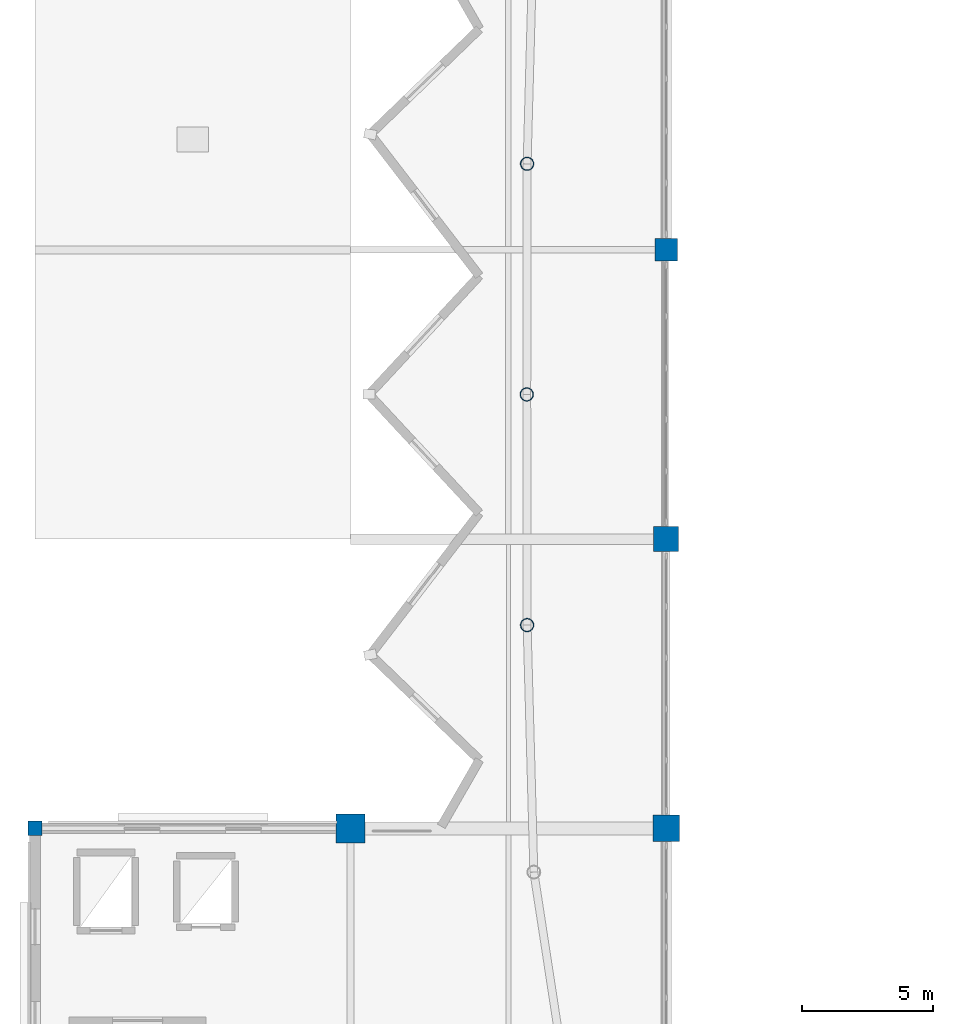
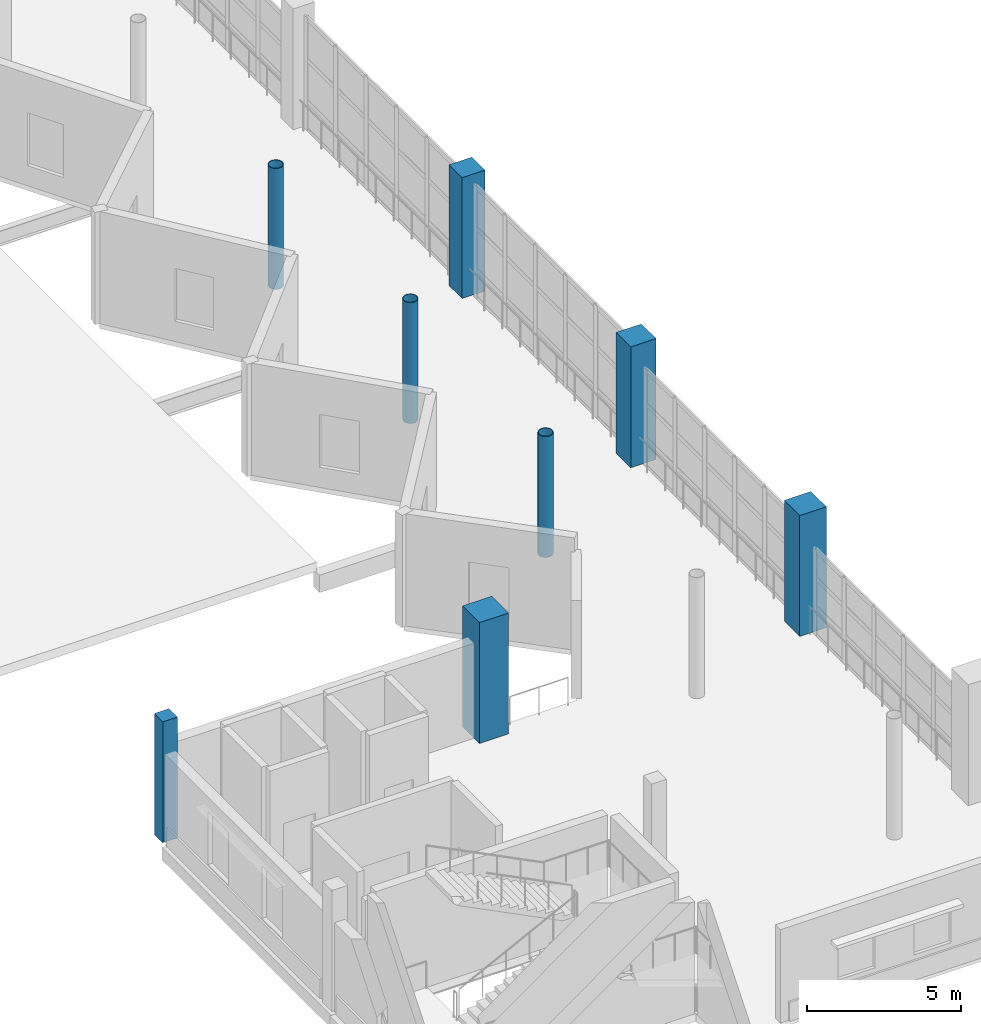
# One storey, part 3 of 53: 8 columns.
"""IFC4 building model written with IfcOpenShell, lengths in metres."""

from ifc_helpers import new_model, si_unit, direction, frame, origin, origin_2d, place, context, subcontext, project, spatial, rectangle, hollow_circle, extrude, material, material_profile, profile_set, type_object, element, save


model = new_model("IFC4")

# Units and contexts
model_context = context("Model", 3, precision=1e-05, world=origin(), true_north=direction((0.0, 1.0)))
body_context = subcontext(model_context, "Body", "Model", "MODEL_VIEW")
ifc_project = project(units=[si_unit("LENGTHUNIT", "METRE"), si_unit("AREAUNIT", "SQUARE_METRE"), si_unit("VOLUMEUNIT", "CUBIC_METRE"), si_unit("PLANEANGLEUNIT", "RADIAN"), si_unit("MASSUNIT", "GRAM", prefix="KILO")], contexts=[model_context])

# Site, building, storey
site_placement = place(None, origin())
site = spatial("IfcSite", under=ifc_project, at=site_placement, CompositionType="ELEMENT")
building_placement = place(site_placement, origin())
building = spatial("IfcBuilding", under=site, at=building_placement, Name="Luwafu Chhajja Arena", CompositionType="ELEMENT")
storey_placement = place(building_placement, frame((0.0, 0.0, 19.5)))
storey = spatial("IfcBuildingStorey", under=building, at=storey_placement, Name="L04", CompositionType="ELEMENT", Elevation=19.5)

# Columns
ifc_material_1 = material(Name="Concrete C40/50", Category="concrete")
ifc_material_profile_1 = material_profile(ifc_material_1, rectangle(XDim=1.0, YDim=1.0, at=origin_2d()), Name="RC 1000x1000")
ifc_profile_set_1 = profile_set([ifc_material_profile_1], Name="Concrete C40/50")
column_type_1 = type_object("IfcColumnType", Name="Bowl Primary Column RC 1000", PredefinedType="COLUMN", material=ifc_profile_set_1)
column_1_placement = place(storey_placement, frame((58.0, 33.0, 0.0), z_axis=(0.0, 0.0, 1.0), x_axis=(1.0, 0.0, 0.0)))
element("IfcColumn", 1, at=column_1_placement, inside=storey, type_object=column_type_1, Name="L04 Grid Column 6/D", PredefinedType="COLUMN", context=body_context, shape_type="SweptSolid", body=[
    extrude(rectangle(XDim=1.0, YDim=1.0, at=origin_2d()), origin(), (0.0, 0.0, 1.0), 4.800048828125),
])
ifc_material_profile_2 = material_profile(ifc_material_1, rectangle(XDim=0.949951171875, YDim=0.949951171875, at=origin_2d()), Name="RC 950x950")
ifc_profile_set_2 = profile_set([ifc_material_profile_2], Name="Concrete C40/50")
column_type_2 = type_object("IfcColumnType", Name="Bowl Raker Support Column RC 950", PredefinedType="COLUMN", material=ifc_profile_set_2)
column_2_placement = place(storey_placement, frame((58.0, 44.0, 0.0), z_axis=(0.0, 0.0, 1.0), x_axis=(1.0, 0.0, 0.0)))
element("IfcColumn", 2, at=column_2_placement, inside=storey, type_object=column_type_2, Name="L04 Grid Column 6/E", PredefinedType="COLUMN", context=body_context, shape_type="SweptSolid", body=[
    extrude(rectangle(XDim=0.949951171875, YDim=0.949951171875, at=origin_2d()), origin(), (0.0, 0.0, 1.0), 4.800048828125),
])
ifc_material_profile_3 = material_profile(ifc_material_1, rectangle(XDim=1.10009765625, YDim=1.10009765625, at=origin_2d()), Name="RC 1100x1100")
ifc_profile_set_3 = profile_set([ifc_material_profile_3], Name="Concrete C40/50")
column_type_3 = type_object("IfcColumnType", Name="Bowl Rim Mega Column RC 1100", PredefinedType="COLUMN", material=ifc_profile_set_3)
column_3_placement = place(storey_placement, frame((46.0, 33.0, 0.0), z_axis=(0.0, 0.0, 1.0), x_axis=(1.0, 0.0, 0.0)))
element("IfcColumn", 3, at=column_3_placement, inside=storey, type_object=column_type_3, Name="L04 Grid Column 5/D", PredefinedType="COLUMN", context=body_context, shape_type="SweptSolid", body=[
    extrude(rectangle(XDim=1.10009765625, YDim=1.10009765625, at=origin_2d()), origin(), (0.0, 0.0, 1.0), 4.800048828125),
])
ifc_material_2 = material(Name="Concrete C35/45", Category="concrete")
ifc_material_profile_4 = material_profile(ifc_material_2, rectangle(XDim=0.85009765625, YDim=0.85009765625, at=origin_2d()), Name="RC 850x850")
ifc_profile_set_4 = profile_set([ifc_material_profile_4], Name="Concrete C35/45")
column_type_4 = type_object("IfcColumnType", Name="Concourse Heavy Column RC 850", PredefinedType="COLUMN", material=ifc_profile_set_4)
column_4_placement = place(storey_placement, frame((58.0, 55.0, 0.0), z_axis=(0.0, 0.0, 1.0), x_axis=(1.0, 0.0, 0.0)))
element("IfcColumn", 4, at=column_4_placement, inside=storey, type_object=column_type_4, Name="L04 Grid Column 6/F", PredefinedType="COLUMN", context=body_context, shape_type="SweptSolid", body=[
    extrude(rectangle(XDim=0.85009765625, YDim=0.85009765625, at=origin_2d()), origin(), (0.0, 0.0, 1.0), 4.800048828125),
])
ifc_material_profile_5 = material_profile(ifc_material_2, rectangle(XDim=0.550048828125, YDim=0.550048828125, at=origin_2d()), Name="RC 550x550")
ifc_profile_set_5 = profile_set([ifc_material_profile_5], Name="Concrete C35/45")
column_type_5 = type_object("IfcColumnType", Name="Gallery Column RC 550", PredefinedType="COLUMN", material=ifc_profile_set_5)
column_5_placement = place(storey_placement, frame((34.0, 33.0, 0.0), z_axis=(0.0, 0.0, 1.0), x_axis=(1.0, 0.0, 0.0)))
element("IfcColumn", 5, at=column_5_placement, inside=storey, type_object=column_type_5, Name="L04 Grid Column 4/D", PredefinedType="COLUMN", context=body_context, shape_type="SweptSolid", body=[
    extrude(rectangle(XDim=0.550048828125, YDim=0.550048828125, at=origin_2d()), origin(), (0.0, 0.0, 1.0), 4.800048828125),
])
ifc_material_3 = material(Name="Steel S355", Category="steel")
ifc_material_profile_6 = material_profile(ifc_material_3, hollow_circle(Radius=0.25390625, WallThickness=0.02001953125, at=origin_2d()), Name="CHS 508x20")
ifc_profile_set_6 = profile_set([ifc_material_profile_6], Name="Steel S355")
column_type_6 = type_object("IfcColumnType", Name="Steel Upper Drum Column CHS 508", PredefinedType="COLUMN", material=ifc_profile_set_6)
for number, where, z_axis, x_axis, name in (
    (6, (52.71240234375, 58.269775390625, 0.0), (0.0, 0.0, 1.0), (1.0, 0.0, 0.0), "L04 Bowl Drum Column D16"),
    (7, (52.699951171875, 49.5, 0.0), (0.0, 0.0, 1.0), (1.0, 0.0, 0.0), "L04 Bowl Drum Column D17"),
    (8, (52.71240234375, 40.730224609375, 0.0), (0.0, 0.0, 1.0), (1.0, 0.0, 0.0), "L04 Bowl Drum Column D18"),
):
    element("IfcColumn", number, at=place(storey_placement, frame(where, z_axis=z_axis, x_axis=x_axis)), inside=storey, type_object=column_type_6, Name=name, PredefinedType="COLUMN", context=body_context, shape_type="SweptSolid", body=[
        extrude(hollow_circle(Radius=0.25390625, WallThickness=0.02001953125, at=origin_2d()), origin(), (0.0, 0.0, 1.0), 4.800048828125),
    ])

save(model, "model.ifc")
